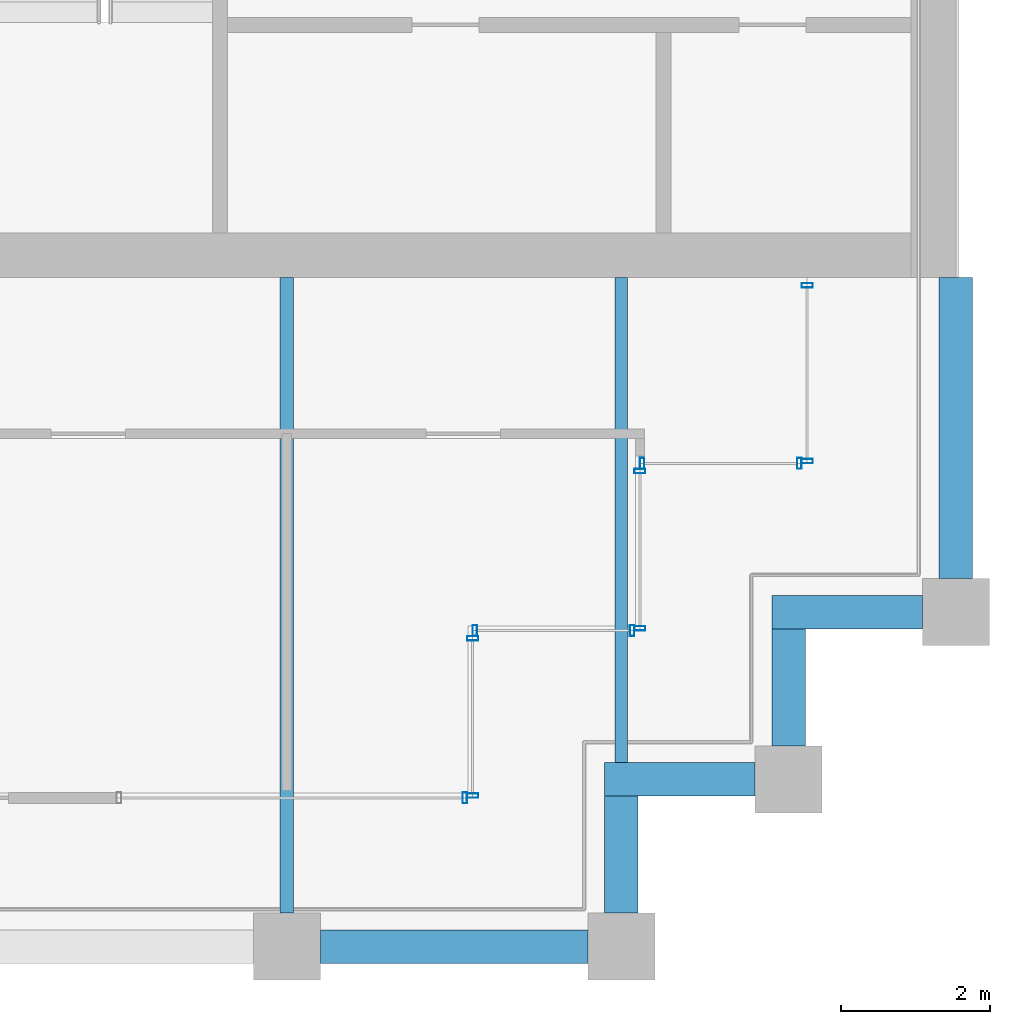
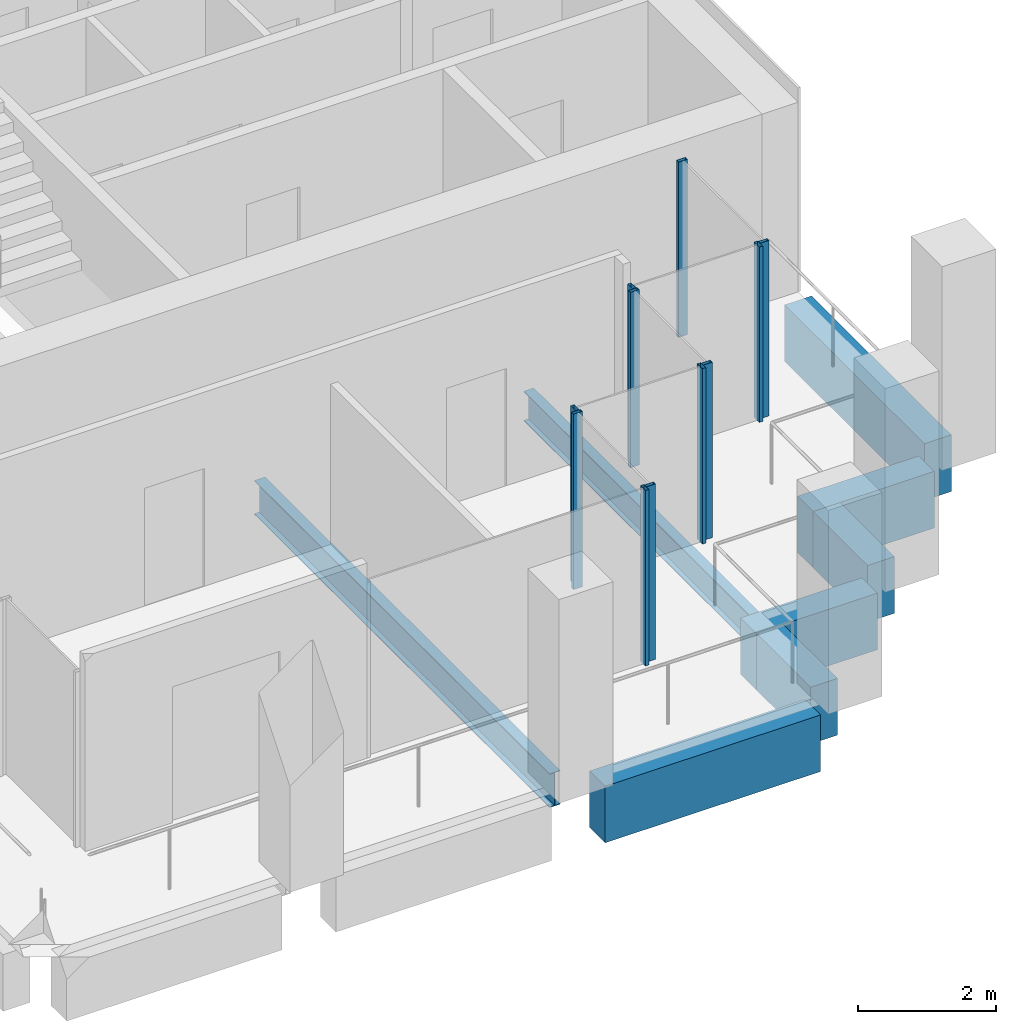
# One storey, part 31 of 40: 11 members, 8 beams, 6 elements without a shape of their own.
"""IFC4 building model written with IfcOpenShell, lengths in metres."""

import ifcopenshell
import ifcopenshell.guid

model = None  # the IFC model being written
_history = None  # IfcOwnerHistory: only IFC2X3 demands one
_inside = {}  # id of a spatial element -> (the spatial element, [elements in it])
_under = {}  # id of a project, library or spatial element -> (it, [spatial elements below it])
_declared = {}  # id of a project -> (the project, [libraries it declares])
_typed = {}  # id of a type object -> (the type object, [elements of that type])
_made_of = {}  # id of a material, layer set ... -> (it, [elements and type objects made of it])


def new_model(schema):
    """Start an empty IFC model of exactly this schema.

    Asked for "IFC4X3", IfcOpenShell would pick the latest addendum, in which some entities
    have other attributes; the version numbers below select the first issue.
    IFC2X3 requires an IfcOwnerHistory on every rooted entity: one is made here for all.
    """
    global model, _history
    if schema == "IFC4X3":
        model = ifcopenshell.file(schema_version=(4, 3, 0, 0))
    else:
        model = ifcopenshell.file(schema=schema)
    _inside.clear()
    _under.clear()
    _declared.clear()
    _typed.clear()
    _made_of.clear()
    _history = None
    if model.schema == "IFC2X3":
        org = make("IfcOrganization", Name="unknown")
        user = make(
            "IfcPersonAndOrganization",
            ThePerson=make("IfcPerson", FamilyName="unknown"),
            TheOrganization=org,
        )
        app = make(
            "IfcApplication",
            ApplicationDeveloper=org,
            Version="unknown",
            ApplicationFullName="unknown",
            ApplicationIdentifier="unknown",
        )
        _history = make(
            "IfcOwnerHistory",
            OwningUser=user,
            OwningApplication=app,
            ChangeAction="ADDED",
            CreationDate=0,
        )
    return model


def make(cls, **values):
    """One entity of the class cls with the attributes given. An attribute that is None is left unset."""
    return model.create_entity(
        cls, **{name: value for name, value in values.items() if value is not None}
    )


def rooted(cls, **values):
    """An entity with a GlobalId (a new one), such as an element, a storey or a relation."""
    return make(cls, GlobalId=ifcopenshell.guid.new(), OwnerHistory=_history, **values)


def si_unit(unit_type, name, prefix=None):
    """IfcSIUnit, for example si_unit("LENGTHUNIT", "METRE", prefix="MILLI")."""
    return make("IfcSIUnit", UnitType=unit_type, Prefix=prefix, Name=name)


def assignment(units):
    """IfcUnitAssignment: the units of a project."""
    return None if units is None else make("IfcUnitAssignment", Units=units)


def point(xyz):
    """IfcCartesianPoint."""
    return None if xyz is None else make("IfcCartesianPoint", Coordinates=xyz)


def direction(xyz):
    """IfcDirection."""
    return None if xyz is None else make("IfcDirection", DirectionRatios=xyz)


def frame(location, z_axis=None, x_axis=None):
    """IfcAxis2Placement3D, a coordinate frame: its origin and axes. An axis left out is left unset."""
    return make(
        "IfcAxis2Placement3D",
        Location=point(location),
        Axis=direction(z_axis),
        RefDirection=direction(x_axis),
    )


def frame_2d(location, x_axis=None):
    """IfcAxis2Placement2D, a coordinate frame in the plane: its origin and x axis."""
    return make(
        "IfcAxis2Placement2D", Location=point(location), RefDirection=direction(x_axis)
    )


def origin():
    """The frame at (0, 0, 0) with its axes left unset."""
    return frame((0.0, 0.0, 0.0))


def origin_2d():
    """The frame at (0, 0) in the plane with its x axis left unset."""
    return frame_2d((0.0, 0.0))


def place(relative_to, where):
    """IfcLocalPlacement: puts the frame where relative to a parent placement (None: the world)."""
    return make(
        "IfcLocalPlacement", PlacementRelTo=relative_to, RelativePlacement=where
    )


def context(
    kind, dimensions, precision=None, world=None, true_north=None, identifier=None
):
    """IfcGeometricRepresentationContext, for example the 3D "Model" context."""
    return make(
        "IfcGeometricRepresentationContext",
        ContextIdentifier=identifier,
        ContextType=kind,
        CoordinateSpaceDimension=dimensions,
        Precision=precision,
        WorldCoordinateSystem=world,
        TrueNorth=true_north,
    )


def subcontext(parent, identifier, kind, view, scale=None):
    """IfcGeometricRepresentationSubContext, for example "Body" below "Model"."""
    return make(
        "IfcGeometricRepresentationSubContext",
        ContextIdentifier=identifier,
        ContextType=kind,
        ParentContext=parent,
        TargetScale=scale,
        TargetView=view,
    )


def project(units=None, contexts=None):
    """IfcProject with its units and contexts."""
    return rooted(
        "IfcProject",
        Name="project",
        RepresentationContexts=contexts,
        UnitsInContext=assignment(units),
    )


def spatial(cls, under=None, at=None, **own):
    """A site, building, storey or space (cls), placed at a placement, below another one or the project."""
    s = rooted(cls, ObjectPlacement=at, **own)
    if under is not None:
        _under.setdefault(under.id(), (under, []))[1].append(s)
    return s


def profile(cls, at=None, kind="AREA", **sizes):
    """A parametric profile (cls). Its sizes go by their IFC names, for example OverallWidth=200.0."""
    return make(cls, ProfileType=kind, Position=at, **sizes)


def rectangle(**sizes):
    """IfcRectangleProfileDef."""
    return profile("IfcRectangleProfileDef", **sizes)


def hollow_rectangle(**sizes):
    """IfcRectangleHollowProfileDef."""
    return profile("IfcRectangleHollowProfileDef", **sizes)


def i_section(**sizes):
    """IfcIShapeProfileDef."""
    return profile("IfcIShapeProfileDef", **sizes)


def extrude(swept, where, along, depth):
    """IfcExtrudedAreaSolid: the profile swept, set in the frame where, extruded along a direction by depth."""
    return make(
        "IfcExtrudedAreaSolid",
        SweptArea=swept,
        Position=where,
        ExtrudedDirection=direction(along),
        Depth=depth,
    )


def shape(context_of_items, identifier, shape_type, items):
    """IfcShapeRepresentation: the items that make up one representation, for example the "Body"."""
    return make(
        "IfcShapeRepresentation",
        ContextOfItems=context_of_items,
        RepresentationIdentifier=identifier,
        RepresentationType=shape_type,
        Items=items,
    )


def material(Name=None, Category=None):
    """IfcMaterial."""
    return make("IfcMaterial", Name=Name, Category=Category)


def material_profile(
    of_material, cross_section, Name=None, Category=None, Priority=None
):
    """IfcMaterialProfile: a cross section and its material."""
    return make(
        "IfcMaterialProfile",
        Name=Name,
        Material=of_material,
        Profile=cross_section,
        Priority=Priority,
        Category=Category,
    )


def profile_set(profiles, Name=None, composite=None):
    """IfcMaterialProfileSet."""
    return make(
        "IfcMaterialProfileSet",
        Name=Name,
        MaterialProfiles=profiles,
        CompositeProfile=composite,
    )


def made_of(thing, what):
    """Note that an element or type object is made of a material, layer set ...; save() writes the relation."""
    if what is not None:
        _made_of.setdefault(what.id(), (what, []))[1].append(thing)
    return thing


def type_object(cls, material=None, **own):
    """A type object (cls), such as IfcWallType, which elements share."""
    return made_of(rooted(cls, **own), material)


def element(
    cls,
    number,
    at=None,
    inside=None,
    cuts=None,
    type_object=None,
    material=None,
    context=None,
    identifier="Body",
    shape_type=None,
    held_by="IfcProductDefinitionShape",
    body=None,
    shapes=None,
    **own,
):
    """One element of the class cls, such as IfcWall. Its Tag is "e" and its number.

    at: its placement. inside: the storey or other place that contains it. cuts: it is an
    opening in that element (IfcRelVoidsElement). A single representation is given by context,
    identifier, shape_type and body (its items); several are given by shapes. held_by: the class
    of the entity that holds the representations. save() writes the other relations.
    """
    e = rooted(cls, Tag="e%d" % number, ObjectPlacement=at, **own)
    if body is not None:
        shapes = [shape(context, identifier, shape_type, body)]
    if shapes is not None:
        e.Representation = make(held_by, Representations=shapes)
    if inside is not None:
        _inside.setdefault(inside.id(), (inside, []))[1].append(e)
    if cuts is not None:
        rooted(
            "IfcRelVoidsElement", RelatingBuildingElement=cuts, RelatedOpeningElement=e
        )
    if type_object is not None:
        _typed.setdefault(type_object.id(), (type_object, []))[1].append(e)
    return made_of(e, material)


def aggregate(whole, parts):
    """IfcRelAggregates: a whole, such as a stair, and the parts it consists of."""
    return rooted("IfcRelAggregates", RelatingObject=whole, RelatedObjects=parts)


def save(model, path):
    """Write the relations noted so far, then the file.

    IfcRelAggregates (storeys below a building ...), IfcRelContainedInSpatialStructure (elements
    in a storey), IfcRelDefinesByType, IfcRelAssociatesMaterial and IfcRelDeclares: one each for
    every whole, place, type object, material and project.
    """
    for whole, parts in _under.values():
        aggregate(whole, parts)
    for where, things in _inside.values():
        rooted(
            "IfcRelContainedInSpatialStructure",
            RelatedElements=things,
            RelatingStructure=where,
        )
    for kind, things in _typed.values():
        rooted("IfcRelDefinesByType", RelatedObjects=things, RelatingType=kind)
    for what, things in _made_of.values():
        rooted("IfcRelAssociatesMaterial", RelatedObjects=things, RelatingMaterial=what)
    for by, libraries in _declared.values():
        rooted("IfcRelDeclares", RelatingContext=by, RelatedDefinitions=libraries)
    model.write(path)


model = new_model("IFC4")

# Units and contexts
model_context = context("Model", 3, precision=1e-05, world=origin(), true_north=direction((0.0, 1.0)))
body_context = subcontext(model_context, "Body", "Model", "MODEL_VIEW")
ifc_project = project(units=[si_unit("LENGTHUNIT", "METRE"), si_unit("AREAUNIT", "SQUARE_METRE"), si_unit("VOLUMEUNIT", "CUBIC_METRE"), si_unit("PLANEANGLEUNIT", "RADIAN"), si_unit("MASSUNIT", "GRAM", prefix="KILO")], contexts=[model_context])

# Site, building, storey
site_placement = place(None, origin())
site = spatial("IfcSite", under=ifc_project, at=site_placement, CompositionType="ELEMENT")
building_placement = place(site_placement, origin())
building = spatial("IfcBuilding", under=site, at=building_placement, Name="Altepetl Exchange Towers", CompositionType="ELEMENT")
storey_placement = place(building_placement, frame((0.0, 0.0, 183.39990234375)))
storey = spatial("IfcBuildingStorey", under=building, at=storey_placement, Name="L46", CompositionType="ELEMENT", Elevation=183.39990234375)

# Beams
ifc_material_1 = material(Name="Steel S355", Category="steel")
ifc_material_profile_1 = material_profile(ifc_material_1, i_section(OverallWidth=0.166015625, OverallDepth=0.529052734375, WebThickness=0.009765625, FlangeThickness=0.013671875, at=origin_2d()), Name="W21X50")
ifc_profile_set_1 = profile_set([ifc_material_profile_1], Name="Steel S355")
beam_type_1 = type_object("IfcBeamType", Name="Floor beam W21X50", PredefinedType="BEAM", material=ifc_profile_set_1)
beam_1_placement = place(storey_placement, frame((112.5, 29.47509765625, -0.414306640625), z_axis=(0.0, 1.0, 0.0), x_axis=(-1.0, 0.0, 0.0)))
element("IfcBeam", 1, at=beam_1_placement, inside=storey, type_object=beam_type_1, Name="bm:B:L46:003", PredefinedType="BEAM", context=body_context, shape_type="SweptSolid", body=[
    extrude(i_section(OverallWidth=0.166015625, OverallDepth=0.529052734375, WebThickness=0.009765625, FlangeThickness=0.013671875, at=origin_2d()), origin(), (0.0, 0.0, 1.0), 6.52490234375),
])
ifc_material_profile_2 = material_profile(ifc_material_1, i_section(OverallWidth=0.177978515625, OverallDepth=0.59912109375, WebThickness=0.010009765625, FlangeThickness=0.0126953125, at=origin_2d()), Name="W24X55")
ifc_profile_set_2 = profile_set([ifc_material_profile_2], Name="Steel S355")
beam_type_2 = type_object("IfcBeamType", Name="Floor beam W24X55", PredefinedType="BEAM", material=ifc_profile_set_2)
beam_2_placement = place(storey_placement, frame((108.0, 27.449951171875, -0.449462890625), z_axis=(0.0, 1.0, 0.0), x_axis=(-1.0, 0.0, 0.0)))
element("IfcBeam", 2, at=beam_2_placement, inside=storey, type_object=beam_type_2, Name="bm:B:L46:002", PredefinedType="BEAM", context=body_context, shape_type="SweptSolid", body=[
    extrude(i_section(OverallWidth=0.177978515625, OverallDepth=0.59912109375, WebThickness=0.010009765625, FlangeThickness=0.0126953125, at=origin_2d()), origin(), (0.0, 0.0, 1.0), 8.550048828125),
])

# Curtain wall, member
ifc_material_2 = material(Name="Aluminium 6063-T6 glazing", Category="aluminium")
curtain_wall_type = type_object("IfcCurtainWallType", Name="Loggia glazing system", PredefinedType="NOTDEFINED", material=ifc_material_2)
curtain_wall_1_placement = place(storey_placement, origin())
curtain_wall_1 = element("IfcCurtainWall", 3, at=curtain_wall_1_placement, inside=storey, type_object=curtain_wall_type, Name="CW1 run", PredefinedType="NOTDEFINED")
ifc_material_3 = material(Name="Aluminium 6063-T6", Category="aluminium")
ifc_material_profile_3 = material_profile(ifc_material_3, hollow_rectangle(XDim=0.06005859375, YDim=0.14990234375, WallThickness=0.0029296875, at=origin_2d()), Name="Mullion 60x150 aluminium")
ifc_profile_set_3 = profile_set([ifc_material_profile_3], Name="Aluminium 6063-T6")
member_type = type_object("IfcMemberType", Name="Mullion 60x150 aluminium", PredefinedType="MULLION", material=ifc_profile_set_3)
member_1_placement = place(storey_placement, frame((110.39501953125, 29.0, 0.0)))
member_1 = element("IfcMember", 4, at=member_1_placement, type_object=member_type, Name="MU1 mullion", PredefinedType="MULLION", context=body_context, shape_type="SweptSolid", body=[
    extrude(hollow_rectangle(XDim=0.06005859375, YDim=0.14990234375, WallThickness=0.0029296875, at=origin_2d()), origin(), (0.0, 0.0, 1.0), 3.10009765625),
])
aggregate(curtain_wall_1, [member_1])

# Curtain wall, members
curtain_wall_2_placement = place(storey_placement, origin())
curtain_wall_2 = element("IfcCurtainWall", 5, at=curtain_wall_2_placement, inside=storey, type_object=curtain_wall_type, Name="CW1 run", PredefinedType="NOTDEFINED")
member_2_placement = place(storey_placement, frame((110.5, 29.030029296875, 0.0), z_axis=(0.0, 0.0, 1.0), x_axis=(0.0, 1.0, 0.0)))
member_2 = element("IfcMember", 6, at=member_2_placement, type_object=member_type, Name="MU1 mullion", PredefinedType="MULLION", context=body_context, shape_type="SweptSolid", body=[
    extrude(hollow_rectangle(XDim=0.06005859375, YDim=0.14990234375, WallThickness=0.0029296875, at=origin_2d()), origin(), (0.0, 0.0, 1.0), 3.10009765625),
])
member_3_placement = place(storey_placement, frame((110.5, 31.14501953125, 0.0), z_axis=(0.0, 0.0, 1.0), x_axis=(0.0, 1.0, 0.0)))
member_3 = element("IfcMember", 7, at=member_3_placement, type_object=member_type, Name="MU1 mullion", PredefinedType="MULLION", context=body_context, shape_type="SweptSolid", body=[
    extrude(hollow_rectangle(XDim=0.06005859375, YDim=0.14990234375, WallThickness=0.0029296875, at=origin_2d()), origin(), (0.0, 0.0, 1.0), 3.10009765625),
])
aggregate(curtain_wall_2, [member_2, member_3])

curtain_wall_3_placement = place(storey_placement, origin())
curtain_wall_3 = element("IfcCurtainWall", 8, at=curtain_wall_3_placement, inside=storey, type_object=curtain_wall_type, Name="CW1 run", PredefinedType="NOTDEFINED")
member_4_placement = place(storey_placement, frame((110.530029296875, 31.25, 0.0)))
member_4 = element("IfcMember", 9, at=member_4_placement, type_object=member_type, Name="MU1 mullion", PredefinedType="MULLION", context=body_context, shape_type="SweptSolid", body=[
    extrude(hollow_rectangle(XDim=0.06005859375, YDim=0.14990234375, WallThickness=0.0029296875, at=origin_2d()), origin(), (0.0, 0.0, 1.0), 3.10009765625),
])
member_5_placement = place(storey_placement, frame((112.64501953125, 31.25, 0.0)))
member_5 = element("IfcMember", 10, at=member_5_placement, type_object=member_type, Name="MU1 mullion", PredefinedType="MULLION", context=body_context, shape_type="SweptSolid", body=[
    extrude(hollow_rectangle(XDim=0.06005859375, YDim=0.14990234375, WallThickness=0.0029296875, at=origin_2d()), origin(), (0.0, 0.0, 1.0), 3.10009765625),
])
aggregate(curtain_wall_3, [member_4, member_5])

curtain_wall_4_placement = place(storey_placement, origin())
curtain_wall_4 = element("IfcCurtainWall", 11, at=curtain_wall_4_placement, inside=storey, type_object=curtain_wall_type, Name="CW1 run", PredefinedType="NOTDEFINED")
member_6_placement = place(storey_placement, frame((112.75, 31.280029296875, 0.0), z_axis=(0.0, 0.0, 1.0), x_axis=(0.0, 1.0, 0.0)))
member_6 = element("IfcMember", 12, at=member_6_placement, type_object=member_type, Name="MU1 mullion", PredefinedType="MULLION", context=body_context, shape_type="SweptSolid", body=[
    extrude(hollow_rectangle(XDim=0.06005859375, YDim=0.14990234375, WallThickness=0.0029296875, at=origin_2d()), origin(), (0.0, 0.0, 1.0), 3.10009765625),
])
member_7_placement = place(storey_placement, frame((112.75, 33.39501953125, 0.0), z_axis=(0.0, 0.0, 1.0), x_axis=(0.0, 1.0, 0.0)))
member_7 = element("IfcMember", 13, at=member_7_placement, type_object=member_type, Name="MU1 mullion", PredefinedType="MULLION", context=body_context, shape_type="SweptSolid", body=[
    extrude(hollow_rectangle(XDim=0.06005859375, YDim=0.14990234375, WallThickness=0.0029296875, at=origin_2d()), origin(), (0.0, 0.0, 1.0), 3.10009765625),
])
aggregate(curtain_wall_4, [member_6, member_7])

curtain_wall_5_placement = place(storey_placement, origin())
curtain_wall_5 = element("IfcCurtainWall", 14, at=curtain_wall_5_placement, inside=storey, type_object=curtain_wall_type, Name="CW1 run", PredefinedType="NOTDEFINED")
member_8_placement = place(storey_placement, frame((112.780029296875, 33.5, 0.0)))
member_8 = element("IfcMember", 15, at=member_8_placement, type_object=member_type, Name="MU1 mullion", PredefinedType="MULLION", context=body_context, shape_type="SweptSolid", body=[
    extrude(hollow_rectangle(XDim=0.06005859375, YDim=0.14990234375, WallThickness=0.0029296875, at=origin_2d()), origin(), (0.0, 0.0, 1.0), 3.10009765625),
])
member_9_placement = place(storey_placement, frame((114.89501953125, 33.5, 0.0)))
member_9 = element("IfcMember", 16, at=member_9_placement, type_object=member_type, Name="MU1 mullion", PredefinedType="MULLION", context=body_context, shape_type="SweptSolid", body=[
    extrude(hollow_rectangle(XDim=0.06005859375, YDim=0.14990234375, WallThickness=0.0029296875, at=origin_2d()), origin(), (0.0, 0.0, 1.0), 3.10009765625),
])
aggregate(curtain_wall_5, [member_8, member_9])

curtain_wall_6_placement = place(storey_placement, origin())
curtain_wall_6 = element("IfcCurtainWall", 17, at=curtain_wall_6_placement, inside=storey, type_object=curtain_wall_type, Name="CW1 run", PredefinedType="NOTDEFINED")
member_10_placement = place(storey_placement, frame((115.0, 33.530029296875, 0.0), z_axis=(0.0, 0.0, 1.0), x_axis=(0.0, 1.0, 0.0)))
member_10 = element("IfcMember", 18, at=member_10_placement, type_object=member_type, Name="MU1 mullion", PredefinedType="MULLION", context=body_context, shape_type="SweptSolid", body=[
    extrude(hollow_rectangle(XDim=0.06005859375, YDim=0.14990234375, WallThickness=0.0029296875, at=origin_2d()), origin(), (0.0, 0.0, 1.0), 3.10009765625),
])
member_11_placement = place(storey_placement, frame((115.0, 35.89501953125, 0.0), z_axis=(0.0, 0.0, 1.0), x_axis=(0.0, 1.0, 0.0)))
member_11 = element("IfcMember", 19, at=member_11_placement, type_object=member_type, Name="MU1 mullion", PredefinedType="MULLION", context=body_context, shape_type="SweptSolid", body=[
    extrude(hollow_rectangle(XDim=0.06005859375, YDim=0.14990234375, WallThickness=0.0029296875, at=origin_2d()), origin(), (0.0, 0.0, 1.0), 3.10009765625),
])
aggregate(curtain_wall_6, [member_10, member_11])

# Beams
ifc_material_4 = material(Name="Concrete C50/60 precast with cantera blanca facing", Category="concrete")
ifc_material_profile_4 = material_profile(ifc_material_4, rectangle(XDim=0.449951171875, YDim=1.0, at=origin_2d()), Name="450 x 1000")
ifc_profile_set_4 = profile_set([ifc_material_profile_4], Name="Concrete C50/60 precast with cantera blanca facing")
beam_type_3 = type_object("IfcBeamType", Name="Spandrel beam 450x1000 cantera blanca", PredefinedType="SPANDREL", material=ifc_profile_set_4)
beam_3_placement = place(storey_placement, frame((117.0, 31.949951171875, -0.64990234375), z_axis=(0.0, 1.0, 0.0), x_axis=(-1.0, 0.0, 0.0)))
element("IfcBeam", 20, at=beam_3_placement, inside=storey, type_object=beam_type_3, Name="sp:B:L46:007", PredefinedType="SPANDREL", context=body_context, shape_type="SweptSolid", body=[
    extrude(rectangle(XDim=0.449951171875, YDim=1.0, at=origin_2d()), origin(), (0.0, 0.0, 1.0), 4.050048828125),
])
ifc_material_5 = material(Name="Concrete C50/60 precast with tezontle facing", Category="concrete")
ifc_material_profile_5 = material_profile(ifc_material_5, rectangle(XDim=0.449951171875, YDim=1.0, at=origin_2d()), Name="450 x 1000")
ifc_profile_set_5 = profile_set([ifc_material_profile_5], Name="Concrete C50/60 precast with tezontle facing")
beam_type_4 = type_object("IfcBeamType", Name="Spandrel beam 450x1000 tezontle", PredefinedType="SPANDREL", material=ifc_profile_set_5)
beam_4_placement = place(storey_placement, frame((108.449951171875, 27.0, -0.64990234375), z_axis=(1.0, 0.0, 0.0), x_axis=(0.0, 1.0, 0.0)))
element("IfcBeam", 21, at=beam_4_placement, inside=storey, type_object=beam_type_4, Name="sp:B:L46:002", PredefinedType="SPANDREL", context=body_context, shape_type="SweptSolid", body=[
    extrude(rectangle(XDim=0.449951171875, YDim=1.0, at=origin_2d()), origin(), (0.0, 0.0, 1.0), 3.60009765625),
])
beam_5_placement = place(storey_placement, frame((112.5, 27.449951171875, -0.64990234375), z_axis=(0.0, 1.0, 0.0), x_axis=(-1.0, 0.0, 0.0)))
element("IfcBeam", 22, at=beam_5_placement, inside=storey, type_object=beam_type_4, Name="sp:B:L46:003", PredefinedType="SPANDREL", context=body_context, shape_type="SweptSolid", body=[
    extrude(rectangle(XDim=0.449951171875, YDim=1.0, at=origin_2d()), origin(), (0.0, 0.0, 1.0), 1.574951171875),
])
beam_6_placement = place(storey_placement, frame((112.27490234375, 29.25, -0.64990234375), z_axis=(1.0, 0.0, 0.0), x_axis=(0.0, 1.0, 0.0)))
element("IfcBeam", 23, at=beam_6_placement, inside=storey, type_object=beam_type_4, Name="sp:B:L46:004", PredefinedType="SPANDREL", context=body_context, shape_type="SweptSolid", body=[
    extrude(rectangle(XDim=0.449951171875, YDim=1.0, at=origin_2d()), origin(), (0.0, 0.0, 1.0), 2.025146484375),
])
beam_7_placement = place(storey_placement, frame((114.75, 29.699951171875, -0.64990234375), z_axis=(0.0, 1.0, 0.0), x_axis=(-1.0, 0.0, 0.0)))
element("IfcBeam", 24, at=beam_7_placement, inside=storey, type_object=beam_type_4, Name="sp:B:L46:005", PredefinedType="SPANDREL", context=body_context, shape_type="SweptSolid", body=[
    extrude(rectangle(XDim=0.449951171875, YDim=1.0, at=origin_2d()), origin(), (0.0, 0.0, 1.0), 1.574951171875),
])
beam_8_placement = place(storey_placement, frame((114.52490234375, 31.5, -0.64990234375), z_axis=(1.0, 0.0, 0.0), x_axis=(0.0, 1.0, 0.0)))
element("IfcBeam", 25, at=beam_8_placement, inside=storey, type_object=beam_type_4, Name="sp:B:L46:006", PredefinedType="SPANDREL", context=body_context, shape_type="SweptSolid", body=[
    extrude(rectangle(XDim=0.449951171875, YDim=1.0, at=origin_2d()), origin(), (0.0, 0.0, 1.0), 2.025146484375),
])

save(model, "model.ifc")
